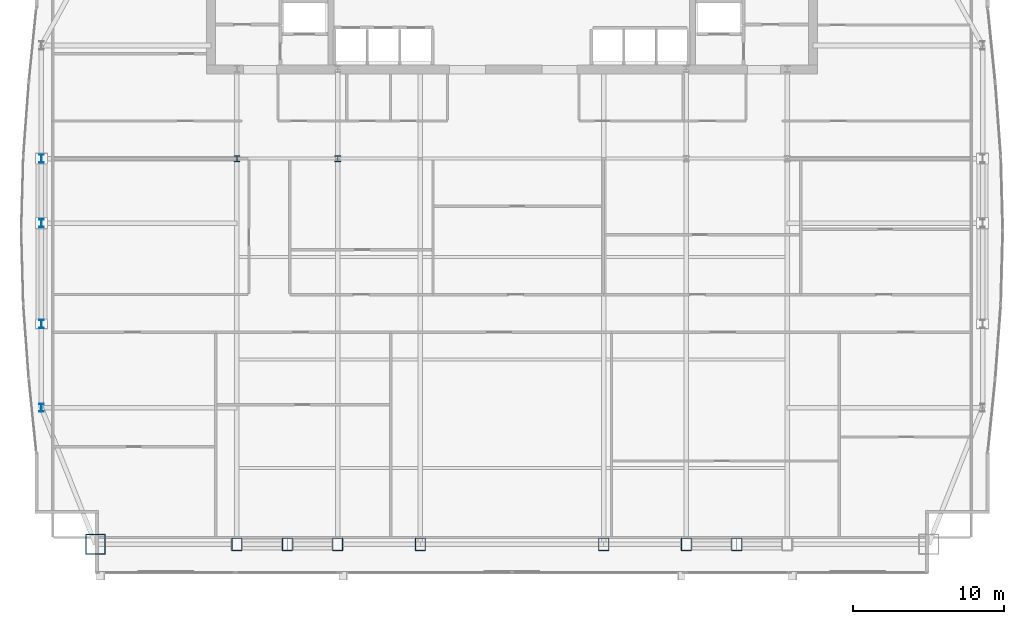
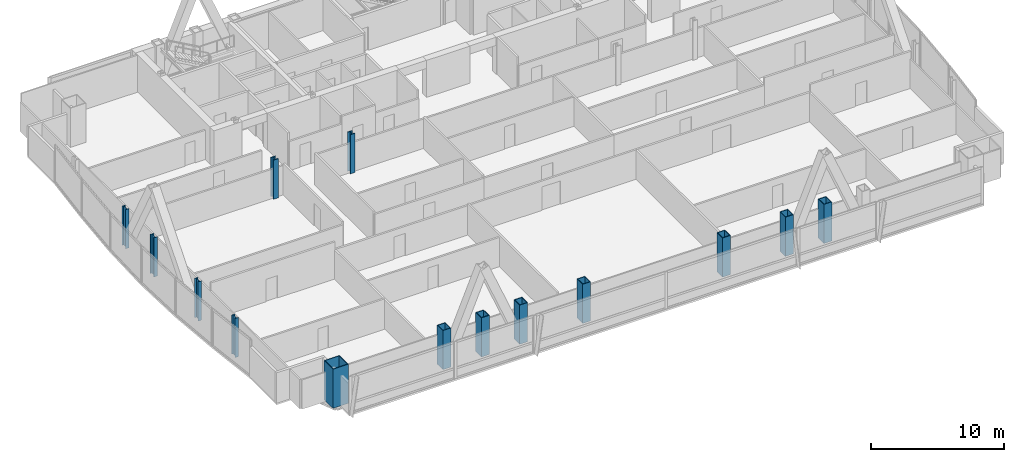
# One storey, part 1 of 29: 14 columns.
"""IFC4 building model written with IfcOpenShell, lengths in metres."""

from ifc_helpers import new_model, si_unit, direction, frame, origin, origin_2d, place, context, subcontext, project, spatial, hollow_rectangle, i_section, extrude, material, material_profile, profile_set, type_object, element, save


model = new_model("IFC4")

# Units and contexts
model_context = context("Model", 3, precision=1e-05, world=origin(), true_north=direction((0.0, 1.0)))
body_context = subcontext(model_context, "Body", "Model", "MODEL_VIEW")
ifc_project = project(units=[si_unit("LENGTHUNIT", "METRE"), si_unit("AREAUNIT", "SQUARE_METRE"), si_unit("VOLUMEUNIT", "CUBIC_METRE"), si_unit("PLANEANGLEUNIT", "RADIAN"), si_unit("MASSUNIT", "GRAM", prefix="KILO")], contexts=[model_context])

# Site, building, storey
site_placement = place(None, origin())
site = spatial("IfcSite", under=ifc_project, at=site_placement, CompositionType="ELEMENT")
building_placement = place(site_placement, origin())
building = spatial("IfcBuilding", under=site, at=building_placement, Name="Khoronbel Lancet Exchange", CompositionType="ELEMENT")
storey_placement = place(building_placement, frame((0.0, 0.0, 180.60009765625)))
storey = spatial("IfcBuildingStorey", under=building, at=storey_placement, Name="L45", CompositionType="ELEMENT", Elevation=180.60009765625)

# Columns
ifc_material_1 = material(Name="Steel S460", Category="steel")
ifc_material_profile_1 = material_profile(ifc_material_1, hollow_rectangle(XDim=0.699951171875, YDim=0.85009765625, WallThickness=0.050048828125, at=origin_2d()), Name="BOX 850x700x50")
ifc_profile_set_1 = profile_set([ifc_material_profile_1], Name="Steel S460")
column_type_1 = type_object("IfcColumnType", Name="COL-EC2", PredefinedType="COLUMN", material=ifc_profile_set_1)
for number, where, z_axis, x_axis, name in (
    (1, (18.22509765625, 10.14990234375, 0.0), (0.0, 0.0, 1.0), (1.0, 0.0, 0.0), "Structural column SC-W1 L45"),
    (2, (21.5625, 10.14990234375, 0.0), (0.0, 0.0, 1.0), (1.0, 0.0, 0.0), "Structural column SC-WM L45"),
    (3, (24.89990234375, 10.14990234375, 0.0), (0.0, 0.0, 1.0), (1.0, 0.0, 0.0), "Structural column SC-W2 L45"),
    (4, (30.375, 10.14990234375, 0.0), (0.0, 0.0, 1.0), (1.0, 0.0, 0.0), "Structural column SC-C1 L45"),
    (5, (42.52490234375, 10.14990234375, 0.0), (0.0, 0.0, 1.0), (1.0, 0.0, 0.0), "Structural column SC-C2 L45"),
    (6, (48.0, 10.14990234375, 0.0), (0.0, 0.0, 1.0), (1.0, 0.0, 0.0), "Structural column SC-E1 L45"),
    (7, (51.33740234375, 10.14990234375, 0.0), (0.0, 0.0, 1.0), (1.0, 0.0, 0.0), "Structural column SC-EM L45"),
):
    element("IfcColumn", number, at=place(storey_placement, frame(where, z_axis=z_axis, x_axis=x_axis)), inside=storey, type_object=column_type_1, Name=name, PredefinedType="COLUMN", context=body_context, shape_type="SweptSolid", body=[
        extrude(hollow_rectangle(XDim=0.699951171875, YDim=0.85009765625, WallThickness=0.050048828125, at=origin_2d()), origin(), (0.0, 0.0, 1.0), 3.599853515625),
    ])
ifc_material_profile_2 = material_profile(ifc_material_1, i_section(OverallWidth=0.416015625, OverallDepth=0.446044921875, WebThickness=0.0390625, FlangeThickness=0.062744140625, at=origin_2d()), Name="HD 400x509")
ifc_profile_set_2 = profile_set([ifc_material_profile_2], Name="Steel S460")
column_type_2 = type_object("IfcColumnType", Name="COL-IC2", PredefinedType="COLUMN", material=ifc_profile_set_2)
for number, where, z_axis, x_axis, name in (
    (8, (18.22509765625, 35.699951171875, 0.0), (0.0, 0.0, 1.0), (1.0, 0.0, 0.0), "Spine gravity column TC1 L45"),
    (9, (24.89990234375, 35.699951171875, 0.0), (0.0, 0.0, 1.0), (1.0, 0.0, 0.0), "Spine gravity column TC2 L45"),
):
    element("IfcColumn", number, at=place(storey_placement, frame(where, z_axis=z_axis, x_axis=x_axis)), inside=storey, type_object=column_type_2, Name=name, PredefinedType="COLUMN", context=body_context, shape_type="SweptSolid", body=[
        extrude(i_section(OverallWidth=0.416015625, OverallDepth=0.446044921875, WebThickness=0.0390625, FlangeThickness=0.062744140625, at=origin_2d()), origin(), (0.0, 0.0, 1.0), 3.599853515625),
    ])
ifc_material_2 = material(Name="Steel S355", Category="steel")
ifc_material_profile_3 = material_profile(ifc_material_2, i_section(OverallWidth=0.300048828125, OverallDepth=0.550048828125, WebThickness=0.014892578125, FlangeThickness=0.029052734375, at=origin_2d()), Name="HEB 550")
ifc_profile_set_3 = profile_set([ifc_material_profile_3], Name="Steel S355")
column_type_3 = type_object("IfcColumnType", Name="COL-LC1", PredefinedType="COLUMN", material=ifc_profile_set_3)
for number, where, z_axis, x_axis, name in (
    (10, (5.27001953125, 19.199951171875, 0.0), (0.0, 0.0, 1.0), (1.0, 0.0, 0.0), "Structural column WC-1 L45"),
    (11, (5.27001953125, 24.75, 0.0), (0.0, 0.0, 1.0), (1.0, 0.0, 0.0), "Structural column WC-2 L45"),
    (12, (5.27001953125, 31.425048828125, 0.0), (0.0, 0.0, 1.0), (1.0, 0.0, 0.0), "Structural column WC-M L45"),
    (13, (5.27001953125, 35.699951171875, 0.0), (0.0, 0.0, 1.0), (1.0, 0.0, 0.0), "Structural column WC-3 L45"),
):
    element("IfcColumn", number, at=place(storey_placement, frame(where, z_axis=z_axis, x_axis=x_axis)), inside=storey, type_object=column_type_3, Name=name, PredefinedType="COLUMN", context=body_context, shape_type="SweptSolid", body=[
        extrude(i_section(OverallWidth=0.300048828125, OverallDepth=0.550048828125, WebThickness=0.014892578125, FlangeThickness=0.029052734375, at=origin_2d()), origin(), (0.0, 0.0, 1.0), 3.599853515625),
    ])
ifc_material_profile_4 = material_profile(ifc_material_1, hollow_rectangle(XDim=1.35009765625, YDim=1.35009765625, WallThickness=0.06494140625, at=origin_2d()), Name="BOX 1350x1350x65")
ifc_profile_set_4 = profile_set([ifc_material_profile_4], Name="Steel S460")
column_type_4 = type_object("IfcColumnType", Name="COL-MC4", PredefinedType="COLUMN", material=ifc_profile_set_4)
column_placement = place(storey_placement, frame((8.85009765625, 10.14990234375, 0.0), z_axis=(0.0, 0.0, 1.0), x_axis=(1.0, 0.0, 0.0)))
element("IfcColumn", 14, at=column_placement, inside=storey, type_object=column_type_4, Name="Structural column MC-SW L45", PredefinedType="COLUMN", context=body_context, shape_type="SweptSolid", body=[
    extrude(hollow_rectangle(XDim=1.35009765625, YDim=1.35009765625, WallThickness=0.06494140625, at=origin_2d()), origin(), (0.0, 0.0, 1.0), 3.599853515625),
])

save(model, "model.ifc")
